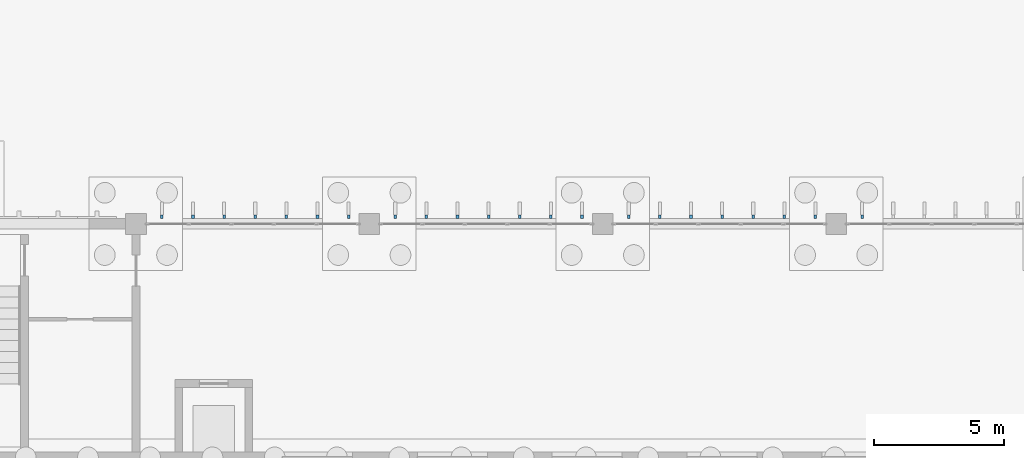
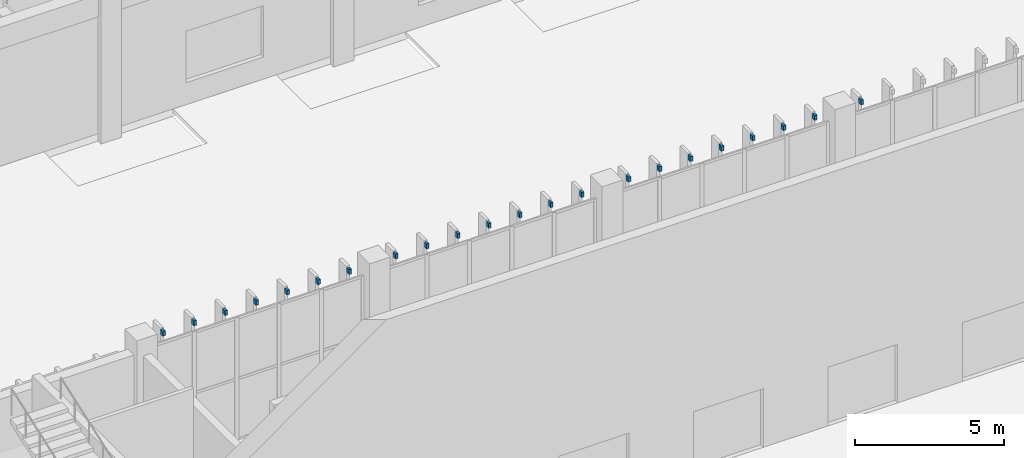
# One storey, part 128 of 198: 22 discrete accessories.
"""IFC4 building model written with IfcOpenShell, lengths in metres."""

from ifc_helpers import new_model, si_unit, direction, frame, origin, origin_2d, place, context, subcontext, project, spatial, rectangle, extrude, material, type_object, element, save


model = new_model("IFC4")

# Units and contexts
model_context = context("Model", 3, precision=1e-05, world=origin(), true_north=direction((0.0, 1.0)))
body_context = subcontext(model_context, "Body", "Model", "MODEL_VIEW")
ifc_project = project(units=[si_unit("LENGTHUNIT", "METRE"), si_unit("AREAUNIT", "SQUARE_METRE"), si_unit("VOLUMEUNIT", "CUBIC_METRE"), si_unit("PLANEANGLEUNIT", "RADIAN"), si_unit("MASSUNIT", "GRAM", prefix="KILO")], contexts=[model_context])

# Site, building, storey
site_placement = place(None, origin())
site = spatial("IfcSite", under=ifc_project, at=site_placement, CompositionType="ELEMENT")
building_placement = place(site_placement, origin())
building = spatial("IfcBuilding", under=site, at=building_placement, Name="Opaline Strait Convention Centre", CompositionType="ELEMENT")
storey_placement = place(building_placement, origin())
storey = spatial("IfcBuildingStorey", under=building, at=storey_placement, Name="L00", CompositionType="ELEMENT", Elevation=0.0)

# Discrete accessories
ifc_material = material(Name="Stainless steel 304", Category="steel")
discrete_accessory_type = type_object("IfcDiscreteAccessoryType", Name="Storm fin bracket 100", PredefinedType="BRACKET", material=ifc_material)
for number, where, z_axis, x_axis, name in (
    (1, (298.0, 72.27490234375, 5.06982421875), (0.0, 0.0, 1.0), (1.0, 0.0, 0.0), "Storm fin bracket north 1"),
    (2, (299.199951171875, 72.27490234375, 5.06982421875), (0.0, 0.0, 1.0), (1.0, 0.0, 0.0), "Storm fin bracket north 2"),
    (3, (300.39990234375, 72.27490234375, 5.06982421875), (0.0, 0.0, 1.0), (1.0, 0.0, 0.0), "Storm fin bracket north 3"),
    (4, (301.60009765625, 72.27490234375, 5.06982421875), (0.0, 0.0, 1.0), (1.0, 0.0, 0.0), "Storm fin bracket north 4"),
    (5, (302.800048828125, 72.27490234375, 5.06982421875), (0.0, 0.0, 1.0), (1.0, 0.0, 0.0), "Storm fin bracket north 5"),
    (6, (304.0, 72.27490234375, 5.06982421875), (0.0, 0.0, 1.0), (1.0, 0.0, 0.0), "Storm fin bracket north 6"),
    (7, (305.199951171875, 72.27490234375, 5.06982421875), (0.0, 0.0, 1.0), (1.0, 0.0, 0.0), "Storm fin bracket north 7"),
    (8, (307.0, 72.27490234375, 5.06982421875), (0.0, 0.0, 1.0), (1.0, 0.0, 0.0), "Storm fin bracket north 8"),
    (9, (308.199951171875, 72.27490234375, 5.06982421875), (0.0, 0.0, 1.0), (1.0, 0.0, 0.0), "Storm fin bracket north 9"),
    (10, (309.39990234375, 72.27490234375, 5.06982421875), (0.0, 0.0, 1.0), (1.0, 0.0, 0.0), "Storm fin bracket north 10"),
    (11, (310.60009765625, 72.27490234375, 5.06982421875), (0.0, 0.0, 1.0), (1.0, 0.0, 0.0), "Storm fin bracket north 11"),
    (12, (311.800048828125, 72.27490234375, 5.06982421875), (0.0, 0.0, 1.0), (1.0, 0.0, 0.0), "Storm fin bracket north 12"),
    (13, (313.0, 72.27490234375, 5.06982421875), (0.0, 0.0, 1.0), (1.0, 0.0, 0.0), "Storm fin bracket north 13"),
    (14, (314.199951171875, 72.27490234375, 5.06982421875), (0.0, 0.0, 1.0), (1.0, 0.0, 0.0), "Storm fin bracket north 14"),
    (15, (316.0, 72.27490234375, 5.06982421875), (0.0, 0.0, 1.0), (1.0, 0.0, 0.0), "Storm fin bracket north 15"),
    (16, (317.199951171875, 72.27490234375, 5.06982421875), (0.0, 0.0, 1.0), (1.0, 0.0, 0.0), "Storm fin bracket north 16"),
    (17, (318.39990234375, 72.27490234375, 5.06982421875), (0.0, 0.0, 1.0), (1.0, 0.0, 0.0), "Storm fin bracket north 17"),
    (18, (319.60009765625, 72.27490234375, 5.06982421875), (0.0, 0.0, 1.0), (1.0, 0.0, 0.0), "Storm fin bracket north 18"),
    (19, (320.800048828125, 72.27490234375, 5.06982421875), (0.0, 0.0, 1.0), (1.0, 0.0, 0.0), "Storm fin bracket north 19"),
    (20, (322.0, 72.27490234375, 5.06982421875), (0.0, 0.0, 1.0), (1.0, 0.0, 0.0), "Storm fin bracket north 20"),
    (21, (323.199951171875, 72.27490234375, 5.06982421875), (0.0, 0.0, 1.0), (1.0, 0.0, 0.0), "Storm fin bracket north 21"),
    (22, (325.0, 72.27490234375, 5.06982421875), (0.0, 0.0, 1.0), (1.0, 0.0, 0.0), "Storm fin bracket north 22"),
):
    element("IfcDiscreteAccessory", number, at=place(storey_placement, frame(where, z_axis=z_axis, x_axis=x_axis)), inside=storey, type_object=discrete_accessory_type, Name=name, PredefinedType="BRACKET", context=body_context, shape_type="SweptSolid", body=[
        extrude(rectangle(XDim=0.10009765625, YDim=0.14990234375, at=origin_2d()), origin(), (0.0, 0.0, 1.0), 0.199951171875),
    ])

save(model, "model.ifc")
